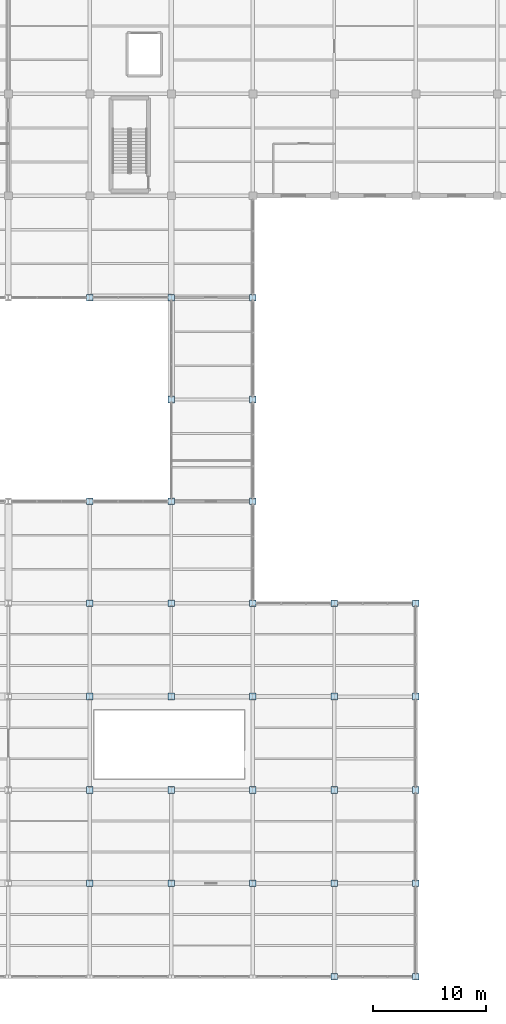
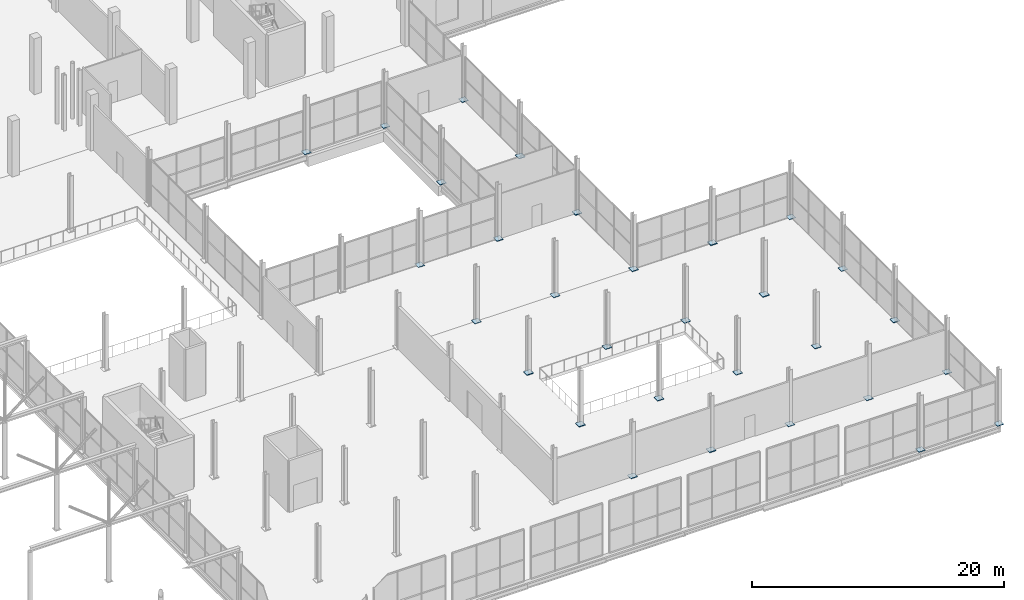
# One storey, part 127 of 147: 30 plates.
"""IFC4 building model written with IfcOpenShell, lengths in metres."""

from ifc_helpers import new_model, si_unit, direction, frame, origin, origin_2d, place, context, subcontext, project, spatial, rectangle, extrude, material, layer, layer_set, type_object, element, save


model = new_model("IFC4")

# Units and contexts
model_context = context("Model", 3, precision=1e-05, world=origin(), true_north=direction((0.0, 1.0)))
body_context = subcontext(model_context, "Body", "Model", "MODEL_VIEW")
ifc_project = project(units=[si_unit("LENGTHUNIT", "METRE"), si_unit("AREAUNIT", "SQUARE_METRE"), si_unit("VOLUMEUNIT", "CUBIC_METRE"), si_unit("PLANEANGLEUNIT", "RADIAN"), si_unit("MASSUNIT", "GRAM", prefix="KILO")], contexts=[model_context])

# Site, building, storey
site_placement = place(None, origin())
site = spatial("IfcSite", under=ifc_project, at=site_placement, CompositionType="ELEMENT")
building_placement = place(site_placement, origin())
building = spatial("IfcBuilding", under=site, at=building_placement, Name="Sundgate Opera House", CompositionType="ELEMENT")
storey_placement = place(building_placement, frame((0.0, 0.0, 6.0)))
storey = spatial("IfcBuildingStorey", under=building, at=storey_placement, Name="L01", CompositionType="ELEMENT", Elevation=6.0)

# Plates
ifc_material_1 = material(Name="Steel S355J2", Category="steel")
ifc_layer_1 = layer(ifc_material_1, 0.02587890625)
ifc_layer_set_1 = layer_set([ifc_layer_1], Name="Steel S355J2")
plate_type_1 = type_object("IfcPlateType", Name="PT-BAS-26", PredefinedType="USERDEFINED", material=ifc_layer_set_1)
for number, where, z_axis, x_axis, name in (
    (1, (131.39990234375, 33.0, 0.0), (0.0, 0.0, 1.0), (1.0, 0.0, 0.0), "L01 Base Plate PT0323"),
    (2, (145.800048828125, 8.25, 0.0), (0.0, 0.0, 1.0), (1.0, 0.0, 0.0), "L01 Base Plate PT0355"),
    (3, (160.199951171875, 24.75, 0.0), (0.0, 0.0, 1.0), (1.0, 0.0, 0.0), "L01 Base Plate PT0396"),
):
    element("IfcPlate", number, at=place(storey_placement, frame(where, z_axis=z_axis, x_axis=x_axis)), inside=storey, type_object=plate_type_1, Name=name, ObjectType="BASE PLATE", PredefinedType="USERDEFINED", context=body_context, shape_type="SweptSolid", body=[
        extrude(rectangle(XDim=0.590087890625, YDim=0.590087890625, at=origin_2d()), origin(), (0.0, 0.0, 1.0), 0.02587890625),
    ])
ifc_material_2 = material(Name="Steel S355J2", Category="steel")
ifc_layer_2 = layer(ifc_material_2, 0.030029296875)
ifc_layer_set_2 = layer_set([ifc_layer_2], Name="Steel S355J2")
plate_type_2 = type_object("IfcPlateType", Name="PT-BAS-30", PredefinedType="USERDEFINED", material=ifc_layer_set_2)
for number, where, z_axis, x_axis, name in (
    (4, (131.39990234375, 42.0, 0.0), (0.0, 0.0, 1.0), (1.0, 0.0, 0.0), "L01 Base Plate PT0326"),
    (5, (138.60009765625, 24.75, 0.0), (0.0, 0.0, 1.0), (1.0, 0.0, 0.0), "L01 Base Plate PT0339"),
    (6, (153.0, 0.0, 0.0), (0.0, 0.0, 1.0), (1.0, 0.0, 0.0), "L01 Base Plate PT0376"),
    (7, (160.199951171875, 33.0, 0.0), (0.0, 0.0, 1.0), (1.0, 0.0, 0.0), "L01 Base Plate PT0398"),
):
    element("IfcPlate", number, at=place(storey_placement, frame(where, z_axis=z_axis, x_axis=x_axis)), inside=storey, type_object=plate_type_2, Name=name, ObjectType="BASE PLATE", PredefinedType="USERDEFINED", context=body_context, shape_type="SweptSolid", body=[
        extrude(rectangle(XDim=0.590087890625, YDim=0.590087890625, at=origin_2d()), origin(), (0.0, 0.0, 1.0), 0.030029296875),
    ])
ifc_material_3 = material(Name="Steel S355J2", Category="steel")
ifc_layer_3 = layer(ifc_material_3, 0.033935546875)
ifc_layer_set_3 = layer_set([ifc_layer_3], Name="Steel S355J2")
plate_type_3 = type_object("IfcPlateType", Name="PT-BAS-34", PredefinedType="USERDEFINED", material=ifc_layer_set_3)
plate_placement = place(storey_placement, frame((145.800048828125, 16.5, 0.0), z_axis=(0.0, 0.0, 1.0), x_axis=(1.0, 0.0, 0.0)))
element("IfcPlate", 8, at=plate_placement, inside=storey, type_object=plate_type_3, Name="L01 Base Plate PT0358", ObjectType="BASE PLATE", PredefinedType="USERDEFINED", context=body_context, shape_type="SweptSolid", body=[
    extrude(rectangle(XDim=0.590087890625, YDim=0.590087890625, at=origin_2d()), origin(), (0.0, 0.0, 1.0), 0.033935546875),
])
ifc_material_4 = material(Name="Steel S355J2", Category="steel")
ifc_layer_4 = layer(ifc_material_4, 0.035888671875)
ifc_layer_set_4 = layer_set([ifc_layer_4], Name="Steel S355J2")
plate_type_4 = type_object("IfcPlateType", Name="PT-BAS-36", PredefinedType="USERDEFINED", material=ifc_layer_set_4)
for number, where, z_axis, x_axis, name in (
    (9, (131.39990234375, 60.0, 0.0), (0.0, 0.0, 1.0), (1.0, 0.0, 0.0), "L01 Base Plate PT0329"),
    (10, (138.60009765625, 33.0, 0.0), (0.0, 0.0, 1.0), (1.0, 0.0, 0.0), "L01 Base Plate PT0342"),
    (11, (153.0, 8.25, 0.0), (0.0, 0.0, 1.0), (1.0, 0.0, 0.0), "L01 Base Plate PT0378"),
):
    element("IfcPlate", number, at=place(storey_placement, frame(where, z_axis=z_axis, x_axis=x_axis)), inside=storey, type_object=plate_type_4, Name=name, ObjectType="BASE PLATE", PredefinedType="USERDEFINED", context=body_context, shape_type="SweptSolid", body=[
        extrude(rectangle(XDim=0.590087890625, YDim=0.590087890625, at=origin_2d()), origin(), (0.0, 0.0, 1.0), 0.035888671875),
    ])
ifc_material_5 = material(Name="Steel S355J2", Category="steel")
ifc_layer_5 = layer(ifc_material_5, 0.0400390625)
ifc_layer_set_5 = layer_set([ifc_layer_5], Name="Steel S355J2")
plate_type_5 = type_object("IfcPlateType", Name="PT-BAS-40", PredefinedType="USERDEFINED", material=ifc_layer_set_5)
for number, where, z_axis, x_axis, name in (
    (12, (138.60009765625, 42.0, 0.0), (0.0, 0.0, 1.0), (1.0, 0.0, 0.0), "L01 Base Plate PT0345"),
    (13, (145.800048828125, 24.75, 0.0), (0.0, 0.0, 1.0), (1.0, 0.0, 0.0), "L01 Base Plate PT0361"),
    (14, (160.199951171875, 0.0, 0.0), (0.0, 0.0, 1.0), (1.0, 0.0, 0.0), "L01 Base Plate PT0390"),
):
    element("IfcPlate", number, at=place(storey_placement, frame(where, z_axis=z_axis, x_axis=x_axis)), inside=storey, type_object=plate_type_5, Name=name, ObjectType="BASE PLATE", PredefinedType="USERDEFINED", context=body_context, shape_type="SweptSolid", body=[
        extrude(rectangle(XDim=0.590087890625, YDim=0.590087890625, at=origin_2d()), origin(), (0.0, 0.0, 1.0), 0.0400390625),
    ])
ifc_material_6 = material(Name="Steel S355J2", Category="steel")
ifc_layer_6 = layer(ifc_material_6, 0.044921875)
ifc_layer_set_6 = layer_set([ifc_layer_6], Name="Steel S355J2")
plate_type_6 = type_object("IfcPlateType", Name="PT-BAS-45", PredefinedType="USERDEFINED", material=ifc_layer_set_6)
for number, where, z_axis, x_axis, name in (
    (15, (131.39990234375, 8.25, 0.0), (0.0, 0.0, 1.0), (1.0, 0.0, 0.0), "L01 Base Plate PT0314"),
    (16, (138.60009765625, 51.0, 0.0), (0.0, 0.0, 1.0), (1.0, 0.0, 0.0), "L01 Base Plate PT0348"),
    (17, (153.0, 16.5, 0.0), (0.0, 0.0, 1.0), (1.0, 0.0, 0.0), "L01 Base Plate PT0381"),
):
    element("IfcPlate", number, at=place(storey_placement, frame(where, z_axis=z_axis, x_axis=x_axis)), inside=storey, type_object=plate_type_6, Name=name, ObjectType="BASE PLATE", PredefinedType="USERDEFINED", context=body_context, shape_type="SweptSolid", body=[
        extrude(rectangle(XDim=0.590087890625, YDim=0.590087890625, at=origin_2d()), origin(), (0.0, 0.0, 1.0), 0.044921875),
    ])
ifc_material_7 = material(Name="Steel S355J2", Category="steel")
ifc_layer_7 = layer(ifc_material_7, 0.050048828125)
ifc_layer_set_7 = layer_set([ifc_layer_7], Name="Steel S355J2")
plate_type_7 = type_object("IfcPlateType", Name="PT-BAS-50", PredefinedType="USERDEFINED", material=ifc_layer_set_7)
for number, where, z_axis, x_axis, name in (
    (18, (138.60009765625, 60.0, 0.0), (0.0, 0.0, 1.0), (1.0, 0.0, 0.0), "L01 Base Plate PT0351"),
    (19, (145.800048828125, 33.0, 0.0), (0.0, 0.0, 1.0), (1.0, 0.0, 0.0), "L01 Base Plate PT0364"),
    (20, (160.199951171875, 8.25, 0.0), (0.0, 0.0, 1.0), (1.0, 0.0, 0.0), "L01 Base Plate PT0392"),
):
    element("IfcPlate", number, at=place(storey_placement, frame(where, z_axis=z_axis, x_axis=x_axis)), inside=storey, type_object=plate_type_7, Name=name, ObjectType="BASE PLATE", PredefinedType="USERDEFINED", context=body_context, shape_type="SweptSolid", body=[
        extrude(rectangle(XDim=0.590087890625, YDim=0.590087890625, at=origin_2d()), origin(), (0.0, 0.0, 1.0), 0.050048828125),
    ])
ifc_material_8 = material(Name="Steel S355J2", Category="steel")
ifc_layer_8 = layer(ifc_material_8, 0.055908203125)
ifc_layer_set_8 = layer_set([ifc_layer_8], Name="Steel S355J2")
plate_type_8 = type_object("IfcPlateType", Name="PT-BAS-56", PredefinedType="USERDEFINED", material=ifc_layer_set_8)
for number, where, z_axis, x_axis, name in (
    (21, (138.60009765625, 16.5, 0.0), (0.0, 0.0, 1.0), (1.0, 0.0, 0.0), "L01 Base Plate PT0336"),
    (22, (145.800048828125, 60.0, 0.0), (0.0, 0.0, 1.0), (1.0, 0.0, 0.0), "L01 Base Plate PT0373"),
):
    element("IfcPlate", number, at=place(storey_placement, frame(where, z_axis=z_axis, x_axis=x_axis)), inside=storey, type_object=plate_type_8, Name=name, ObjectType="BASE PLATE", PredefinedType="USERDEFINED", context=body_context, shape_type="SweptSolid", body=[
        extrude(rectangle(XDim=0.590087890625, YDim=0.590087890625, at=origin_2d()), origin(), (0.0, 0.0, 1.0), 0.055908203125),
    ])
ifc_material_9 = material(Name="Steel S355J2", Category="steel")
ifc_layer_9 = layer(ifc_material_9, 0.06201171875)
ifc_layer_set_9 = layer_set([ifc_layer_9], Name="Steel S355J2")
plate_type_9 = type_object("IfcPlateType", Name="PT-BAS-62", PredefinedType="USERDEFINED", material=ifc_layer_set_9)
for number, where, z_axis, x_axis, name in (
    (23, (131.39990234375, 24.75, 0.0), (0.0, 0.0, 1.0), (1.0, 0.0, 0.0), "L01 Base Plate PT0320"),
    (24, (138.60009765625, 8.25, 0.0), (0.0, 0.0, 1.0), (1.0, 0.0, 0.0), "L01 Base Plate PT0333"),
    (25, (145.800048828125, 51.0, 0.0), (0.0, 0.0, 1.0), (1.0, 0.0, 0.0), "L01 Base Plate PT0370"),
    (26, (153.0, 33.0, 0.0), (0.0, 0.0, 1.0), (1.0, 0.0, 0.0), "L01 Base Plate PT0387"),
    (27, (160.199951171875, 16.5, 0.0), (0.0, 0.0, 1.0), (1.0, 0.0, 0.0), "L01 Base Plate PT0394"),
):
    element("IfcPlate", number, at=place(storey_placement, frame(where, z_axis=z_axis, x_axis=x_axis)), inside=storey, type_object=plate_type_9, Name=name, ObjectType="BASE PLATE", PredefinedType="USERDEFINED", context=body_context, shape_type="SweptSolid", body=[
        extrude(rectangle(XDim=0.590087890625, YDim=0.590087890625, at=origin_2d()), origin(), (0.0, 0.0, 1.0), 0.06201171875),
    ])
ifc_material_10 = material(Name="Steel S355J2", Category="steel")
ifc_layer_10 = layer(ifc_material_10, 0.068115234375)
ifc_layer_set_10 = layer_set([ifc_layer_10], Name="Steel S355J2")
plate_type_10 = type_object("IfcPlateType", Name="PT-BAS-68", PredefinedType="USERDEFINED", material=ifc_layer_set_10)
for number, where, z_axis, x_axis, name in (
    (28, (131.39990234375, 16.5, 0.0), (0.0, 0.0, 1.0), (1.0, 0.0, 0.0), "L01 Base Plate PT0317"),
    (29, (145.800048828125, 42.0, 0.0), (0.0, 0.0, 1.0), (1.0, 0.0, 0.0), "L01 Base Plate PT0367"),
    (30, (153.0, 24.75, 0.0), (0.0, 0.0, 1.0), (1.0, 0.0, 0.0), "L01 Base Plate PT0384"),
):
    element("IfcPlate", number, at=place(storey_placement, frame(where, z_axis=z_axis, x_axis=x_axis)), inside=storey, type_object=plate_type_10, Name=name, ObjectType="BASE PLATE", PredefinedType="USERDEFINED", context=body_context, shape_type="SweptSolid", body=[
        extrude(rectangle(XDim=0.590087890625, YDim=0.590087890625, at=origin_2d()), origin(), (0.0, 0.0, 1.0), 0.068115234375),
    ])

save(model, "model.ifc")
